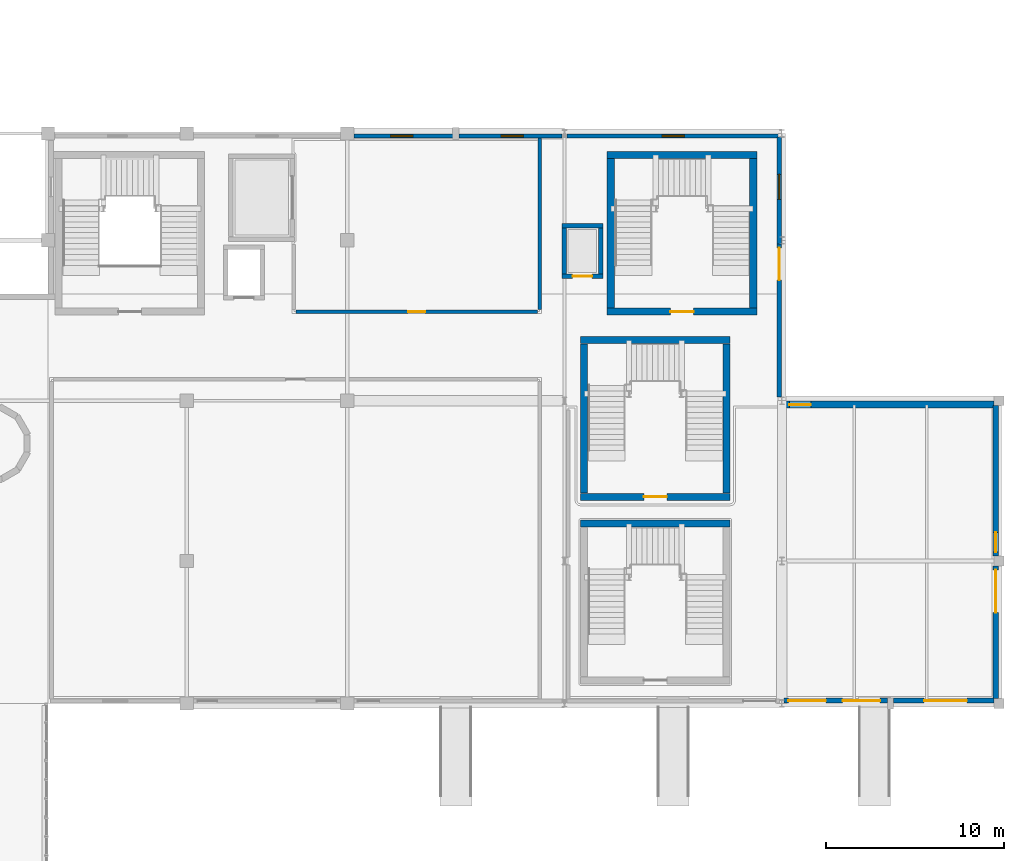
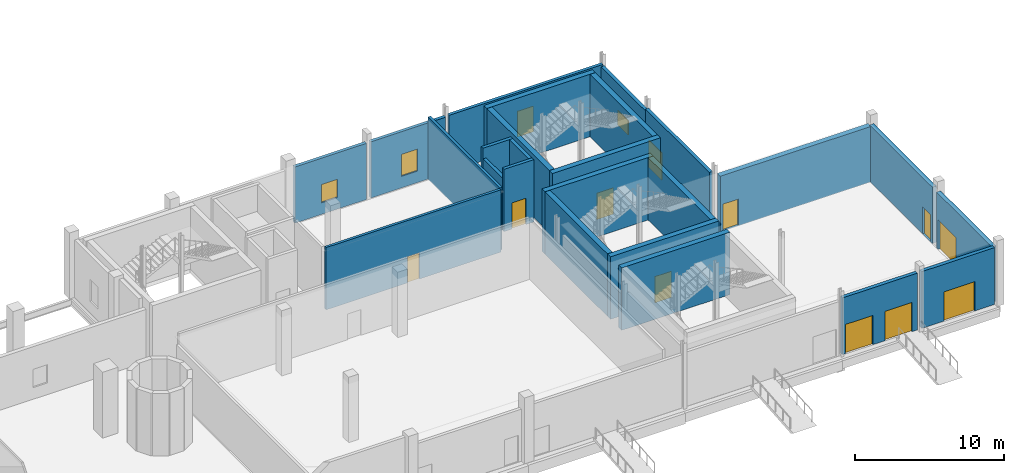
# One storey, part 47 of 57: 25 walls, 11 doors, 4 windows, 15 openings.
"""IFC4 building model written with IfcOpenShell, lengths in metres."""

import ifcopenshell
import ifcopenshell.guid

model = None  # the IFC model being written
_history = None  # IfcOwnerHistory: only IFC2X3 demands one
_inside = {}  # id of a spatial element -> (the spatial element, [elements in it])
_under = {}  # id of a project, library or spatial element -> (it, [spatial elements below it])
_declared = {}  # id of a project -> (the project, [libraries it declares])
_typed = {}  # id of a type object -> (the type object, [elements of that type])
_made_of = {}  # id of a material, layer set ... -> (it, [elements and type objects made of it])


def new_model(schema):
    """Start an empty IFC model of exactly this schema.

    Asked for "IFC4X3", IfcOpenShell would pick the latest addendum, in which some entities
    have other attributes; the version numbers below select the first issue.
    IFC2X3 requires an IfcOwnerHistory on every rooted entity: one is made here for all.
    """
    global model, _history
    if schema == "IFC4X3":
        model = ifcopenshell.file(schema_version=(4, 3, 0, 0))
    else:
        model = ifcopenshell.file(schema=schema)
    _inside.clear()
    _under.clear()
    _declared.clear()
    _typed.clear()
    _made_of.clear()
    _history = None
    if model.schema == "IFC2X3":
        org = make("IfcOrganization", Name="unknown")
        user = make(
            "IfcPersonAndOrganization",
            ThePerson=make("IfcPerson", FamilyName="unknown"),
            TheOrganization=org,
        )
        app = make(
            "IfcApplication",
            ApplicationDeveloper=org,
            Version="unknown",
            ApplicationFullName="unknown",
            ApplicationIdentifier="unknown",
        )
        _history = make(
            "IfcOwnerHistory",
            OwningUser=user,
            OwningApplication=app,
            ChangeAction="ADDED",
            CreationDate=0,
        )
    return model


def make(cls, **values):
    """One entity of the class cls with the attributes given. An attribute that is None is left unset."""
    return model.create_entity(
        cls, **{name: value for name, value in values.items() if value is not None}
    )


def rooted(cls, **values):
    """An entity with a GlobalId (a new one), such as an element, a storey or a relation."""
    return make(cls, GlobalId=ifcopenshell.guid.new(), OwnerHistory=_history, **values)


def si_unit(unit_type, name, prefix=None):
    """IfcSIUnit, for example si_unit("LENGTHUNIT", "METRE", prefix="MILLI")."""
    return make("IfcSIUnit", UnitType=unit_type, Prefix=prefix, Name=name)


def derived_unit(unit_type, elements):
    """IfcDerivedUnit: a product of units, each with its exponent."""
    return make(
        "IfcDerivedUnit",
        Elements=[
            make("IfcDerivedUnitElement", Unit=unit, Exponent=power)
            for unit, power in elements
        ],
        UnitType=unit_type,
    )


def assignment(units):
    """IfcUnitAssignment: the units of a project."""
    return None if units is None else make("IfcUnitAssignment", Units=units)


def point(xyz):
    """IfcCartesianPoint."""
    return None if xyz is None else make("IfcCartesianPoint", Coordinates=xyz)


def direction(xyz):
    """IfcDirection."""
    return None if xyz is None else make("IfcDirection", DirectionRatios=xyz)


def frame(location, z_axis=None, x_axis=None):
    """IfcAxis2Placement3D, a coordinate frame: its origin and axes. An axis left out is left unset."""
    return make(
        "IfcAxis2Placement3D",
        Location=point(location),
        Axis=direction(z_axis),
        RefDirection=direction(x_axis),
    )


def frame_2d(location, x_axis=None):
    """IfcAxis2Placement2D, a coordinate frame in the plane: its origin and x axis."""
    return make(
        "IfcAxis2Placement2D", Location=point(location), RefDirection=direction(x_axis)
    )


def origin():
    """The frame at (0, 0, 0) with its axes left unset."""
    return frame((0.0, 0.0, 0.0))


def place(relative_to, where):
    """IfcLocalPlacement: puts the frame where relative to a parent placement (None: the world)."""
    return make(
        "IfcLocalPlacement", PlacementRelTo=relative_to, RelativePlacement=where
    )


def context(
    kind, dimensions, precision=None, world=None, true_north=None, identifier=None
):
    """IfcGeometricRepresentationContext, for example the 3D "Model" context."""
    return make(
        "IfcGeometricRepresentationContext",
        ContextIdentifier=identifier,
        ContextType=kind,
        CoordinateSpaceDimension=dimensions,
        Precision=precision,
        WorldCoordinateSystem=world,
        TrueNorth=true_north,
    )


def subcontext(parent, identifier, kind, view, scale=None):
    """IfcGeometricRepresentationSubContext, for example "Body" below "Model"."""
    return make(
        "IfcGeometricRepresentationSubContext",
        ContextIdentifier=identifier,
        ContextType=kind,
        ParentContext=parent,
        TargetScale=scale,
        TargetView=view,
    )


def project(units=None, contexts=None):
    """IfcProject with its units and contexts."""
    return rooted(
        "IfcProject",
        Name="project",
        RepresentationContexts=contexts,
        UnitsInContext=assignment(units),
    )


def spatial(cls, under=None, at=None, **own):
    """A site, building, storey or space (cls), placed at a placement, below another one or the project."""
    s = rooted(cls, ObjectPlacement=at, **own)
    if under is not None:
        _under.setdefault(under.id(), (under, []))[1].append(s)
    return s


def profile(cls, at=None, kind="AREA", **sizes):
    """A parametric profile (cls). Its sizes go by their IFC names, for example OverallWidth=200.0."""
    return make(cls, ProfileType=kind, Position=at, **sizes)


def rectangle(**sizes):
    """IfcRectangleProfileDef."""
    return profile("IfcRectangleProfileDef", **sizes)


def extrude(swept, where, along, depth):
    """IfcExtrudedAreaSolid: the profile swept, set in the frame where, extruded along a direction by depth."""
    return make(
        "IfcExtrudedAreaSolid",
        SweptArea=swept,
        Position=where,
        ExtrudedDirection=direction(along),
        Depth=depth,
    )


def shape(context_of_items, identifier, shape_type, items):
    """IfcShapeRepresentation: the items that make up one representation, for example the "Body"."""
    return make(
        "IfcShapeRepresentation",
        ContextOfItems=context_of_items,
        RepresentationIdentifier=identifier,
        RepresentationType=shape_type,
        Items=items,
    )


def material(Name=None, Category=None):
    """IfcMaterial."""
    return make("IfcMaterial", Name=Name, Category=Category)


def layer(
    of_material, thickness, ventilated=None, Name=None, Category=None, Priority=None
):
    """IfcMaterialLayer: one layer of a wall or slab, of a material (None: an air gap)."""
    return make(
        "IfcMaterialLayer",
        Material=of_material,
        LayerThickness=thickness,
        IsVentilated=ventilated,
        Name=Name,
        Category=Category,
        Priority=Priority,
    )


def layer_set(layers, Name=None):
    """IfcMaterialLayerSet."""
    return make("IfcMaterialLayerSet", MaterialLayers=layers, LayerSetName=Name)


def made_of(thing, what):
    """Note that an element or type object is made of a material, layer set ...; save() writes the relation."""
    if what is not None:
        _made_of.setdefault(what.id(), (what, []))[1].append(thing)
    return thing


def type_object(cls, material=None, **own):
    """A type object (cls), such as IfcWallType, which elements share."""
    return made_of(rooted(cls, **own), material)


def element(
    cls,
    number,
    at=None,
    inside=None,
    cuts=None,
    type_object=None,
    material=None,
    context=None,
    identifier="Body",
    shape_type=None,
    held_by="IfcProductDefinitionShape",
    body=None,
    shapes=None,
    **own,
):
    """One element of the class cls, such as IfcWall. Its Tag is "e" and its number.

    at: its placement. inside: the storey or other place that contains it. cuts: it is an
    opening in that element (IfcRelVoidsElement). A single representation is given by context,
    identifier, shape_type and body (its items); several are given by shapes. held_by: the class
    of the entity that holds the representations. save() writes the other relations.
    """
    e = rooted(cls, Tag="e%d" % number, ObjectPlacement=at, **own)
    if body is not None:
        shapes = [shape(context, identifier, shape_type, body)]
    if shapes is not None:
        e.Representation = make(held_by, Representations=shapes)
    if inside is not None:
        _inside.setdefault(inside.id(), (inside, []))[1].append(e)
    if cuts is not None:
        rooted(
            "IfcRelVoidsElement", RelatingBuildingElement=cuts, RelatedOpeningElement=e
        )
    if type_object is not None:
        _typed.setdefault(type_object.id(), (type_object, []))[1].append(e)
    return made_of(e, material)


def fill(opening, filler):
    """IfcRelFillsElement: the door or window that sits in an opening."""
    return rooted(
        "IfcRelFillsElement",
        RelatingOpeningElement=opening,
        RelatedBuildingElement=filler,
    )


def aggregate(whole, parts):
    """IfcRelAggregates: a whole, such as a stair, and the parts it consists of."""
    return rooted("IfcRelAggregates", RelatingObject=whole, RelatedObjects=parts)


def save(model, path):
    """Write the relations noted so far, then the file.

    IfcRelAggregates (storeys below a building ...), IfcRelContainedInSpatialStructure (elements
    in a storey), IfcRelDefinesByType, IfcRelAssociatesMaterial and IfcRelDeclares: one each for
    every whole, place, type object, material and project.
    """
    for whole, parts in _under.values():
        aggregate(whole, parts)
    for where, things in _inside.values():
        rooted(
            "IfcRelContainedInSpatialStructure",
            RelatedElements=things,
            RelatingStructure=where,
        )
    for kind, things in _typed.values():
        rooted("IfcRelDefinesByType", RelatedObjects=things, RelatingType=kind)
    for what, things in _made_of.values():
        rooted("IfcRelAssociatesMaterial", RelatedObjects=things, RelatingMaterial=what)
    for by, libraries in _declared.values():
        rooted("IfcRelDeclares", RelatingContext=by, RelatedDefinitions=libraries)
    model.write(path)


model = new_model("IFC4")

# Units and contexts
model_context = context("Model", 3, precision=1e-05, world=origin(), true_north=direction((0.0, 1.0)))
body_context = subcontext(model_context, "Body", "Model", "MODEL_VIEW")
ifc_project = project(units=[si_unit("LENGTHUNIT", "METRE"), si_unit("AREAUNIT", "SQUARE_METRE"), si_unit("VOLUMEUNIT", "CUBIC_METRE"), si_unit("PLANEANGLEUNIT", "RADIAN"), si_unit("MASSUNIT", "GRAM", prefix="KILO"), derived_unit("THERMALTRANSMITTANCEUNIT", [(si_unit("POWERUNIT", "WATT"), 1), (si_unit("LENGTHUNIT", "METRE"), -2), (si_unit("THERMODYNAMICTEMPERATUREUNIT", "KELVIN"), -1)])], contexts=[model_context])

# Site, building, storey
site_placement = place(None, origin())
site = spatial("IfcSite", under=ifc_project, at=site_placement, CompositionType="ELEMENT")
building_placement = place(site_placement, origin())
building = spatial("IfcBuilding", under=site, at=building_placement, Name="Nallur Shell Playhouse", CompositionType="ELEMENT")
storey_placement = place(building_placement, origin())
storey = spatial("IfcBuildingStorey", under=building, at=storey_placement, Name="L01", CompositionType="ELEMENT", Elevation=0.0)

# Wall, opening, door
ifc_material_1 = material(Name="Concrete M45", Category="concrete")
ifc_layer_1 = layer(ifc_material_1, 0.39990234375)
ifc_layer_set_1 = layer_set([ifc_layer_1], Name="Concrete M45")
wall_type_1 = type_object("IfcWallType", Name="WL-CORE-400", PredefinedType="SHEAR", material=ifc_layer_set_1)
wall_1_placement = place(storey_placement, frame((150.0, 46.0, 0.0), z_axis=(0.0, 0.0, 1.0), x_axis=(1.0, 0.0, 0.0)))
wall_1 = element("IfcWall", 1, at=wall_1_placement, inside=storey, type_object=wall_type_1, Name="Joint Core JC-5 shear wall S (L01)", PredefinedType="SHEAR", context=body_context, shape_type="SweptSolid", body=[
    extrude(rectangle(XDim=8.39990234375, YDim=0.39990234375, at=frame_2d((4.199951171875, 0.0))), origin(), (0.0, 0.0, 1.0), 5.1201171875),
])
opening_1_placement = place(wall_1_placement, frame((3.550048828125, 0.0, 0.0)))
opening_1 = element("IfcOpeningElement", 2, at=opening_1_placement, cuts=wall_1, Name="Opening FD-ST1", PredefinedType="OPENING", context=body_context, shape_type="SweptSolid", body=[
    extrude(rectangle(XDim=1.300048828125, YDim=2.14990234375, at=frame_2d((0.64990234375, 1.074951171875))), frame((0.0, 0.2099609375, 0.0), z_axis=(0.0, -1.0, 0.0), x_axis=(1.0, 0.0, 0.0)), (0.0, 0.0, 1.0), 0.419921875),
])
ifc_material_2 = material(Name="Galvanised Steel Fire-Rated Stair Door", Category="steel")
door_type_1 = type_object("IfcDoorType", Name="DR-INT-STAIR-L", OperationType="SINGLE_SWING_LEFT", PredefinedType="DOOR", material=ifc_material_2)
door_1_placement = place(opening_1_placement, origin())
door_1 = element("IfcDoor", 3, at=door_1_placement, inside=storey, type_object=door_type_1, Name="Exit stair ST-05 fire door (L01)", OperationType="SINGLE_SWING_LEFT", OverallHeight=2.14990234375, OverallWidth=1.300048828125, PredefinedType="DOOR", context=body_context, shape_type="SweptSolid", body=[
    extrude(rectangle(XDim=1.300048828125, YDim=2.14990234375, at=frame_2d((0.64990234375, 1.074951171875))), frame((0.0, 0.02490234375, 0.0), z_axis=(0.0, -1.0, 0.0), x_axis=(1.0, 0.0, 0.0)), (0.0, 0.0, 1.0), 0.050048828125),
])
fill(opening_1, door_1)

# Walls
wall_2_placement = place(storey_placement, frame((158.39990234375, 54.800048828125, 0.0), z_axis=(0.0, 0.0, 1.0), x_axis=(-1.0, 0.0, 0.0)))
element("IfcWall", 4, at=wall_2_placement, inside=storey, type_object=wall_type_1, Name="Joint Core JC-5 shear wall N (L01)", PredefinedType="SHEAR", context=body_context, shape_type="SweptSolid", body=[
    extrude(rectangle(XDim=8.39990234375, YDim=0.39990234375, at=frame_2d((4.199951171875, 0.0))), origin(), (0.0, 0.0, 1.0), 5.1201171875),
])
for number, where, z_axis, x_axis, name in (
    (5, (158.199951171875, 46.2099609375, 0.0), (0.0, 0.0, 1.0), (0.0, 1.0, 0.0), "Joint Core JC-5 shear wall E (L01)"),
    (6, (150.199951171875, 54.590087890625, 0.0), (0.0, 0.0, 1.0), (0.0, -1.0, 0.0), "Joint Core JC-5 shear wall W (L01)"),
):
    element("IfcWall", number, at=place(storey_placement, frame(where, z_axis=z_axis, x_axis=x_axis)), inside=storey, type_object=wall_type_1, Name=name, PredefinedType="SHEAR", context=body_context, shape_type="SweptSolid", body=[
        extrude(rectangle(XDim=8.380126953125, YDim=0.39990234375, at=frame_2d((4.18994140625, 0.0))), origin(), (0.0, 0.0, 1.0), 5.1201171875),
    ])
wall_3_placement = place(storey_placement, frame((156.89990234375, 34.10009765625, 0.0), z_axis=(0.0, 0.0, 1.0), x_axis=(-1.0, 0.0, 0.0)))
element("IfcWall", 7, at=wall_3_placement, inside=storey, type_object=wall_type_1, Name="Joint Core JC-8 shear wall N (L01)", PredefinedType="SHEAR", context=body_context, shape_type="SweptSolid", body=[
    extrude(rectangle(XDim=8.39990234375, YDim=0.39990234375, at=frame_2d((4.199951171875, 0.0))), origin(), (0.0, 0.0, 1.0), 5.1201171875),
])

# Wall, opening, door
wall_4_placement = place(storey_placement, frame((148.5, 35.60009765625, 0.0), z_axis=(0.0, 0.0, 1.0), x_axis=(1.0, 0.0, 0.0)))
wall_4 = element("IfcWall", 8, at=wall_4_placement, inside=storey, type_object=wall_type_1, Name="Joint Core JC-9 shear wall S (L01)", PredefinedType="SHEAR", context=body_context, shape_type="SweptSolid", body=[
    extrude(rectangle(XDim=8.39990234375, YDim=0.39990234375, at=frame_2d((4.199951171875, 0.0))), origin(), (0.0, 0.0, 1.0), 5.1201171875),
])
opening_2_placement = place(wall_4_placement, frame((3.550048828125, 0.0, 0.0)))
opening_2 = element("IfcOpeningElement", 9, at=opening_2_placement, cuts=wall_4, Name="Opening FD-ST1", PredefinedType="OPENING", context=body_context, shape_type="SweptSolid", body=[
    extrude(rectangle(XDim=1.300048828125, YDim=2.14990234375, at=frame_2d((0.64990234375, 1.074951171875))), frame((0.0, 0.2099609375, 0.0), z_axis=(0.0, -1.0, 0.0), x_axis=(1.0, 0.0, 0.0)), (0.0, 0.0, 1.0), 0.419921875),
])
door_2_placement = place(opening_2_placement, origin())
door_2 = element("IfcDoor", 10, at=door_2_placement, inside=storey, type_object=door_type_1, Name="Exit stair ST-09 fire door (L01)", OperationType="SINGLE_SWING_LEFT", OverallHeight=2.14990234375, OverallWidth=1.300048828125, PredefinedType="DOOR", context=body_context, shape_type="SweptSolid", body=[
    extrude(rectangle(XDim=1.300048828125, YDim=2.14990234375, at=frame_2d((0.64990234375, 1.074951171875))), frame((0.0, 0.02490234375, 0.0), z_axis=(0.0, -1.0, 0.0), x_axis=(1.0, 0.0, 0.0)), (0.0, 0.0, 1.0), 0.050048828125),
])
fill(opening_2, door_2)

# Walls
wall_5_placement = place(storey_placement, frame((156.89990234375, 44.39990234375, 0.0), z_axis=(0.0, 0.0, 1.0), x_axis=(-1.0, 0.0, 0.0)))
element("IfcWall", 11, at=wall_5_placement, inside=storey, type_object=wall_type_1, Name="Joint Core JC-9 shear wall N (L01)", PredefinedType="SHEAR", context=body_context, shape_type="SweptSolid", body=[
    extrude(rectangle(XDim=8.39990234375, YDim=0.39990234375, at=frame_2d((4.199951171875, 0.0))), origin(), (0.0, 0.0, 1.0), 5.1201171875),
])
for number, where, z_axis, x_axis, name in (
    (12, (156.699951171875, 35.81005859375, 0.0), (0.0, 0.0, 1.0), (0.0, 1.0, 0.0), "Joint Core JC-9 shear wall E (L01)"),
    (13, (148.699951171875, 44.18994140625, 0.0), (0.0, 0.0, 1.0), (0.0, -1.0, 0.0), "Joint Core JC-9 shear wall W (L01)"),
):
    element("IfcWall", number, at=place(storey_placement, frame(where, z_axis=z_axis, x_axis=x_axis)), inside=storey, type_object=wall_type_1, Name=name, PredefinedType="SHEAR", context=body_context, shape_type="SweptSolid", body=[
        extrude(rectangle(XDim=8.3798828125, YDim=0.39990234375, at=frame_2d((4.18994140625, 0.0))), origin(), (0.0, 0.0, 1.0), 5.1201171875),
    ])

# Wall, opening, window
ifc_material_3 = material(Name="Precast concrete M40", Category="concrete")
ifc_layer_2 = layer(ifc_material_3, 0.239990234375)
ifc_layer_set_2 = layer_set([ifc_layer_2], Name="Precast concrete M40")
wall_type_2 = type_object("IfcWallType", Name="WL-EXT-CLAD240", PredefinedType="ELEMENTEDWALL", material=ifc_layer_set_2)
wall_6_placement = place(storey_placement, frame((135.782958984375, 55.860107421875, 0.0), z_axis=(0.0, 0.0, 1.0), x_axis=(1.0, 0.0, 0.0)))
wall_6 = element("IfcWall", 14, at=wall_6_placement, inside=storey, type_object=wall_type_2, Name="L01 exterior wall EW-L01-031", PredefinedType="ELEMENTEDWALL", context=body_context, shape_type="SweptSolid", body=[
    extrude(rectangle(XDim=5.544921875, YDim=0.239990234375, at=frame_2d((2.7724609375, 0.0))), origin(), (0.0, 0.0, 1.0), 4.60498046875),
])
opening_3_placement = place(wall_6_placement, frame((2.054931640625, 0.0, 0.949951171875)))
opening_3 = element("IfcOpeningElement", 15, at=opening_3_placement, cuts=wall_6, Name="Opening WN-10", PredefinedType="OPENING", context=body_context, shape_type="SweptSolid", body=[
    extrude(rectangle(XDim=1.25, YDim=1.5, at=frame_2d((0.625, 0.75))), frame((0.0, 0.1298828125, 0.0), z_axis=(0.0, -1.0, 0.0), x_axis=(1.0, 0.0, 0.0)), (0.0, 0.0, 1.0), 0.260009765625),
])
ifc_material_4 = material(Name="Thermally Broken Aluminium Acoustic Double-Glazed Window", Category="aluminium")
window_type_1 = type_object("IfcWindowType", Name="WN-TYPE-10", PartitioningType="SINGLE_PANEL", PredefinedType="WINDOW", material=ifc_material_4)
window_1_placement = place(opening_3_placement, origin())
window_1 = element("IfcWindow", 16, at=window_1_placement, inside=storey, type_object=window_type_1, Name="L01 facade module window 010", OverallHeight=1.5, OverallWidth=1.25, PartitioningType="SINGLE_PANEL", PredefinedType="WINDOW", context=body_context, shape_type="SweptSolid", body=[
    extrude(rectangle(XDim=1.25, YDim=1.5, at=frame_2d((0.625, 0.75))), frame((0.0, 0.030029296875, 0.0), z_axis=(0.0, -1.0, 0.0), x_axis=(1.0, 0.0, 0.0)), (0.0, 0.0, 1.0), 0.06005859375),
])
fill(opening_3, window_1)

wall_7_placement = place(storey_placement, frame((141.672119140625, 55.860107421875, 0.0), z_axis=(0.0, 0.0, 1.0), x_axis=(1.0, 0.0, 0.0)))
wall_7 = element("IfcWall", 17, at=wall_7_placement, inside=storey, type_object=wall_type_2, Name="L01 exterior wall EW-L01-032", PredefinedType="ELEMENTEDWALL", context=body_context, shape_type="SweptSolid", body=[
    extrude(rectangle(XDim=5.794921875, YDim=0.239990234375, at=frame_2d((2.8974609375, 0.0))), origin(), (0.0, 0.0, 1.0), 4.60498046875),
])
opening_4_placement = place(wall_7_placement, frame((2.365966796875, 0.0, 0.949951171875)))
opening_4 = element("IfcOpeningElement", 18, at=opening_4_placement, cuts=wall_7, Name="Opening WN-11", PredefinedType="OPENING", context=body_context, shape_type="SweptSolid", body=[
    extrude(rectangle(XDim=1.25, YDim=1.800048828125, at=frame_2d((0.625, 0.89990234375))), frame((0.0, 0.1298828125, 0.0), z_axis=(0.0, -1.0, 0.0), x_axis=(1.0, 0.0, 0.0)), (0.0, 0.0, 1.0), 0.260009765625),
])
window_type_2 = type_object("IfcWindowType", Name="WN-TYPE-11", PartitioningType="SINGLE_PANEL", PredefinedType="WINDOW", material=ifc_material_4)
window_2_placement = place(opening_4_placement, origin())
window_2 = element("IfcWindow", 19, at=window_2_placement, inside=storey, type_object=window_type_2, Name="L01 facade module window 011", OverallHeight=1.800048828125, OverallWidth=1.25, PartitioningType="SINGLE_PANEL", PredefinedType="WINDOW", context=body_context, shape_type="SweptSolid", body=[
    extrude(rectangle(XDim=1.25, YDim=1.800048828125, at=frame_2d((0.625, 0.89990234375))), frame((0.0, 0.030029296875, 0.0), z_axis=(0.0, -1.0, 0.0), x_axis=(1.0, 0.0, 0.0)), (0.0, 0.0, 1.0), 0.06005859375),
])
fill(opening_4, window_2)

wall_8_placement = place(storey_placement, frame((147.73291015625, 55.860107421875, 0.0), z_axis=(0.0, 0.0, 1.0), x_axis=(1.0, 0.0, 0.0)))
wall_8 = element("IfcWall", 20, at=wall_8_placement, inside=storey, type_object=wall_type_2, Name="L01 exterior wall EW-L01-033", PredefinedType="ELEMENTEDWALL", context=body_context, shape_type="SweptSolid", body=[
    extrude(rectangle(XDim=11.93408203125, YDim=0.239990234375, at=frame_2d((5.967041015625, 0.0))), origin(), (0.0, 0.0, 1.0), 4.655029296875),
])
opening_5_placement = place(wall_8_placement, frame((5.342041015625, 0.0, 0.949951171875)))
opening_5 = element("IfcOpeningElement", 21, at=opening_5_placement, cuts=wall_8, Name="Opening WN-12", PredefinedType="OPENING", context=body_context, shape_type="SweptSolid", body=[
    extrude(rectangle(XDim=1.25, YDim=2.10009765625, at=frame_2d((0.625, 1.050048828125))), frame((0.0, 0.1298828125, 0.0), z_axis=(0.0, -1.0, 0.0), x_axis=(1.0, 0.0, 0.0)), (0.0, 0.0, 1.0), 0.260009765625),
])
window_type_3 = type_object("IfcWindowType", Name="WN-TYPE-12", PartitioningType="SINGLE_PANEL", PredefinedType="WINDOW", material=ifc_material_4)
window_3_placement = place(opening_5_placement, origin())
window_3 = element("IfcWindow", 22, at=window_3_placement, inside=storey, type_object=window_type_3, Name="L01 facade module window 012", OverallHeight=2.10009765625, OverallWidth=1.25, PartitioningType="SINGLE_PANEL", PredefinedType="WINDOW", context=body_context, shape_type="SweptSolid", body=[
    extrude(rectangle(XDim=1.25, YDim=2.10009765625, at=frame_2d((0.625, 1.050048828125))), frame((0.0, 0.030029296875, 0.0), z_axis=(0.0, -1.0, 0.0), x_axis=(1.0, 0.0, 0.0)), (0.0, 0.0, 1.0), 0.06005859375),
])
fill(opening_5, window_3)

ifc_layer_3 = layer(ifc_material_3, 0.260009765625)
ifc_layer_set_3 = layer_set([ifc_layer_3], Name="Precast concrete M40")
wall_type_3 = type_object("IfcWallType", Name="WL-EXT-CLAD260", PredefinedType="ELEMENTEDWALL", material=ifc_layer_set_3)
wall_9_placement = place(storey_placement, frame((159.64990234375, 55.7919921875, 0.0), z_axis=(0.0, 0.0, 1.0), x_axis=(0.0, -1.0, 0.0)))
wall_9 = element("IfcWall", 23, at=wall_9_placement, inside=storey, type_object=wall_type_3, Name="L01 exterior wall EW-L01-034", PredefinedType="ELEMENTEDWALL", context=body_context, shape_type="SweptSolid", body=[
    extrude(rectangle(XDim=6.0, YDim=0.260009765625, at=frame_2d((3.0, 0.0))), origin(), (0.0, 0.0, 1.0), 4.5048828125),
])
opening_6_placement = place(wall_9_placement, frame((2.092041015625, 0.0, 0.949951171875)))
opening_6 = element("IfcOpeningElement", 24, at=opening_6_placement, cuts=wall_9, Name="Opening WN-13", PredefinedType="OPENING", context=body_context, shape_type="SweptSolid", body=[
    extrude(rectangle(XDim=1.39990234375, YDim=1.199951171875, at=frame_2d((0.699951171875, 0.60009765625))), frame((0.0, 0.14013671875, 0.0), z_axis=(0.0, -1.0, 0.0), x_axis=(1.0, 0.0, 0.0)), (0.0, 0.0, 1.0), 0.280029296875),
])
window_type_4 = type_object("IfcWindowType", Name="WN-TYPE-13", PartitioningType="SINGLE_PANEL", PredefinedType="WINDOW", material=ifc_material_4)
window_4_placement = place(opening_6_placement, origin())
window_4 = element("IfcWindow", 25, at=window_4_placement, inside=storey, type_object=window_type_4, Name="L01 facade module window 013", OverallHeight=1.199951171875, OverallWidth=1.39990234375, PartitioningType="SINGLE_PANEL", PredefinedType="WINDOW", context=body_context, shape_type="SweptSolid", body=[
    extrude(rectangle(XDim=1.39990234375, YDim=1.199951171875, at=frame_2d((0.699951171875, 0.60009765625))), frame((0.0, 0.030029296875, 0.0), z_axis=(0.0, -1.0, 0.0), x_axis=(1.0, 0.0, 0.0)), (0.0, 0.0, 1.0), 0.06005859375),
])
fill(opening_6, window_4)

# Wall, opening, door
wall_10_placement = place(storey_placement, frame((159.64990234375, 49.7919921875, 0.0), z_axis=(0.0, 0.0, 1.0), x_axis=(0.0, -1.0, 0.0)))
wall_10 = element("IfcWall", 26, at=wall_10_placement, inside=storey, type_object=wall_type_3, Name="L01 exterior wall EW-L01-035", PredefinedType="ELEMENTEDWALL", context=body_context, shape_type="SweptSolid", body=[
    extrude(rectangle(XDim=8.583984375, YDim=0.260009765625, at=frame_2d((4.2919921875, 0.0))), origin(), (0.0, 0.0, 1.0), 4.655029296875),
])
opening_7_placement = place(wall_10_placement, frame((0.219970703125, 0.0, 0.0)))
opening_7 = element("IfcOpeningElement", 27, at=opening_7_placement, cuts=wall_10, Name="Opening ED-03", PredefinedType="OPENING", context=body_context, shape_type="SweptSolid", body=[
    extrude(rectangle(XDim=1.800048828125, YDim=2.25, at=frame_2d((0.89990234375, 1.125))), frame((0.0, 0.14013671875, 0.0), z_axis=(0.0, -1.0, 0.0), x_axis=(1.0, 0.0, 0.0)), (0.0, 0.0, 1.0), 0.280029296875),
])
ifc_material_5 = material(Name="Galvanised Steel Emergency Exit Double Door", Category="steel")
door_type_2 = type_object("IfcDoorType", Name="DR-EXT-DBL1800", OperationType="DOUBLE_DOOR_SINGLE_SWING", PredefinedType="DOOR", material=ifc_material_5)
door_3_placement = place(opening_7_placement, origin())
door_3 = element("IfcDoor", 28, at=door_3_placement, inside=storey, type_object=door_type_2, Name="Ground floor exterior exit door ED-L01-12", OperationType="DOUBLE_DOOR_SINGLE_SWING", OverallHeight=2.25, OverallWidth=1.800048828125, PredefinedType="DOOR", context=body_context, shape_type="SweptSolid", body=[
    extrude(rectangle(XDim=1.800048828125, YDim=2.25, at=frame_2d((0.89990234375, 1.125))), frame((0.0, 0.02490234375, 0.0), z_axis=(0.0, -1.0, 0.0), x_axis=(1.0, 0.0, 0.0)), (0.0, 0.0, 1.0), 0.050048828125),
])
fill(opening_7, door_3)

ifc_material_6 = material(Name="Concrete M30", Category="concrete")
ifc_layer_4 = layer(ifc_material_6, 0.280029296875)
ifc_layer_set_4 = layer_set([ifc_layer_4], Name="Concrete M30")
wall_type_4 = type_object("IfcWallType", Name="WL-EXT-INS280", PredefinedType="STANDARD", material=ifc_layer_set_4)
wall_11_placement = place(storey_placement, frame((171.717041015625, 24.159912109375, 0.0), z_axis=(0.0, 0.0, 1.0), x_axis=(-1.0, 0.0, 0.0)))
wall_11 = element("IfcWall", 29, at=wall_11_placement, inside=storey, type_object=wall_type_4, Name="L01 exterior wall EW-L01-039", PredefinedType="STANDARD", context=body_context, shape_type="SweptSolid", body=[
    extrude(rectangle(XDim=5.64501953125, YDim=0.280029296875, at=frame_2d((2.822509765625, 0.0))), origin(), (0.0, 0.0, 1.0), 4.655029296875),
])
opening_8_placement = place(wall_11_placement, frame((1.530029296875, 0.0, 0.0)))
opening_8 = element("IfcOpeningElement", 30, at=opening_8_placement, cuts=wall_11, Name="Opening ED-01", PredefinedType="OPENING", context=body_context, shape_type="SweptSolid", body=[
    extrude(rectangle(XDim=2.39990234375, YDim=2.39990234375, at=frame_2d((1.199951171875, 1.199951171875))), frame((0.0, 0.14990234375, 0.0), z_axis=(0.0, -1.0, 0.0), x_axis=(1.0, 0.0, 0.0)), (0.0, 0.0, 1.0), 0.300048828125),
])
ifc_material_7 = material(Name="Anodised Aluminium Glazed Entrance Door", Category="aluminium")
door_type_3 = type_object("IfcDoorType", Name="DR-EXT-DBL2400", OperationType="DOUBLE_SWING_LEFT", PredefinedType="DOOR", material=ifc_material_7)
door_4_placement = place(opening_8_placement, origin())
door_4 = element("IfcDoor", 31, at=door_4_placement, inside=storey, type_object=door_type_3, Name="Ground floor exterior exit door ED-L01-16", OperationType="DOUBLE_SWING_LEFT", OverallHeight=2.39990234375, OverallWidth=2.39990234375, PredefinedType="DOOR", context=body_context, shape_type="SweptSolid", body=[
    extrude(rectangle(XDim=2.39990234375, YDim=2.39990234375, at=frame_2d((1.199951171875, 1.199951171875))), frame((0.0, 0.02490234375, 0.0), z_axis=(0.0, -1.0, 0.0), x_axis=(1.0, 0.0, 0.0)), (0.0, 0.0, 1.0), 0.050048828125),
])
fill(opening_8, door_4)

# Wall, openings, doors
wall_12_placement = place(storey_placement, frame((165.72802734375, 24.159912109375, 0.0), z_axis=(0.0, 0.0, 1.0), x_axis=(-1.0, 0.0, 0.0)))
wall_12 = element("IfcWall", 32, at=wall_12_placement, inside=storey, type_object=wall_type_4, Name="L01 exterior wall EW-L01-040", PredefinedType="STANDARD", context=body_context, shape_type="SweptSolid", body=[
    extrude(rectangle(XDim=5.803955078125, YDim=0.280029296875, at=frame_2d((2.90185546875, 0.0))), origin(), (0.0, 0.0, 1.0), 4.655029296875),
])
opening_9_placement = place(wall_12_placement, frame((0.406005859375, 0.0, 0.0)))
opening_9 = element("IfcOpeningElement", 33, at=opening_9_placement, cuts=wall_12, Name="Opening ED-02", PredefinedType="OPENING", context=body_context, shape_type="SweptSolid", body=[
    extrude(rectangle(XDim=2.10009765625, YDim=2.39990234375, at=frame_2d((1.050048828125, 1.199951171875))), frame((0.0, 0.14990234375, 0.0), z_axis=(0.0, -1.0, 0.0), x_axis=(1.0, 0.0, 0.0)), (0.0, 0.0, 1.0), 0.300048828125),
])
opening_10_placement = place(wall_12_placement, frame((3.4580078125, 0.0, 0.0)))
opening_10 = element("IfcOpeningElement", 34, at=opening_10_placement, cuts=wall_12, Name="Opening ED-02", PredefinedType="OPENING", context=body_context, shape_type="SweptSolid", body=[
    extrude(rectangle(XDim=2.10009765625, YDim=2.39990234375, at=frame_2d((1.050048828125, 1.199951171875))), frame((0.0, 0.14990234375, 0.0), z_axis=(0.0, -1.0, 0.0), x_axis=(1.0, 0.0, 0.0)), (0.0, 0.0, 1.0), 0.300048828125),
])
door_type_4 = type_object("IfcDoorType", Name="DR-EXT-DBL2100", OperationType="DOUBLE_SWING_RIGHT", PredefinedType="DOOR", material=ifc_material_7)
door_5_placement = place(opening_9_placement, origin())
door_5 = element("IfcDoor", 35, at=door_5_placement, inside=storey, type_object=door_type_4, Name="Ground floor exterior exit door ED-L01-17", OperationType="DOUBLE_SWING_RIGHT", OverallHeight=2.39990234375, OverallWidth=2.10009765625, PredefinedType="DOOR", context=body_context, shape_type="SweptSolid", body=[
    extrude(rectangle(XDim=2.10009765625, YDim=2.39990234375, at=frame_2d((1.050048828125, 1.199951171875))), frame((0.0, 0.02490234375, 0.0), z_axis=(0.0, -1.0, 0.0), x_axis=(1.0, 0.0, 0.0)), (0.0, 0.0, 1.0), 0.050048828125),
])
fill(opening_9, door_5)
door_6_placement = place(opening_10_placement, origin())
door_6 = element("IfcDoor", 36, at=door_6_placement, inside=storey, type_object=door_type_4, Name="Ground floor exterior exit door ED-L01-18", OperationType="DOUBLE_SWING_RIGHT", OverallHeight=2.39990234375, OverallWidth=2.10009765625, PredefinedType="DOOR", context=body_context, shape_type="SweptSolid", body=[
    extrude(rectangle(XDim=2.10009765625, YDim=2.39990234375, at=frame_2d((1.050048828125, 1.199951171875))), frame((0.0, 0.02490234375, 0.0), z_axis=(0.0, -1.0, 0.0), x_axis=(1.0, 0.0, 0.0)), (0.0, 0.0, 1.0), 0.050048828125),
])
fill(opening_10, door_6)

# Wall, opening, door
ifc_material_8 = material(Name="Concrete M35", Category="concrete")
ifc_layer_5 = layer(ifc_material_8, 0.320068359375)
ifc_layer_set_5 = layer_set([ifc_layer_5], Name="Concrete M35")
wall_type_5 = type_object("IfcWallType", Name="WL-EXT-RC320", PredefinedType="STANDARD", material=ifc_layer_set_5)
wall_13_placement = place(storey_placement, frame((171.820068359375, 40.717041015625, 0.0), z_axis=(0.0, 0.0, 1.0), x_axis=(0.0, -1.0, 0.0)))
wall_13 = element("IfcWall", 37, at=wall_13_placement, inside=storey, type_object=wall_type_5, Name="L01 exterior wall EW-L01-037", PredefinedType="STANDARD", context=body_context, shape_type="SweptSolid", body=[
    extrude(rectangle(XDim=8.43408203125, YDim=0.320068359375, at=frame_2d((4.217041015625, 0.0))), origin(), (0.0, 0.0, 1.0), 4.60498046875),
])
opening_11_placement = place(wall_13_placement, frame((7.114013671875, 0.0, 0.0)))
opening_11 = element("IfcOpeningElement", 38, at=opening_11_placement, cuts=wall_13, Name="Opening ED-05", PredefinedType="OPENING", context=body_context, shape_type="SweptSolid", body=[
    extrude(rectangle(XDim=1.10009765625, YDim=2.199951171875, at=frame_2d((0.550048828125, 1.10009765625))), frame((0.0, 0.169921875, 0.0), z_axis=(0.0, -1.0, 0.0), x_axis=(1.0, 0.0, 0.0)), (0.0, 0.0, 1.0), 0.340087890625),
])
ifc_material_9 = material(Name="Galvanised Steel Exterior Service Door", Category="steel")
door_type_5 = type_object("IfcDoorType", Name="DR-EXT-SGL1100", OperationType="SINGLE_SWING_RIGHT", PredefinedType="DOOR", material=ifc_material_9)
door_7_placement = place(opening_11_placement, origin())
door_7 = element("IfcDoor", 39, at=door_7_placement, inside=storey, type_object=door_type_5, Name="Ground floor exterior exit door ED-L01-14", OperationType="SINGLE_SWING_RIGHT", OverallHeight=2.199951171875, OverallWidth=1.10009765625, PredefinedType="DOOR", context=body_context, shape_type="SweptSolid", body=[
    extrude(rectangle(XDim=1.10009765625, YDim=2.199951171875, at=frame_2d((0.550048828125, 1.10009765625))), frame((0.0, 0.02490234375, 0.0), z_axis=(0.0, -1.0, 0.0), x_axis=(1.0, 0.0, 0.0)), (0.0, 0.0, 1.0), 0.050048828125),
])
fill(opening_11, door_7)

wall_14_placement = place(storey_placement, frame((171.820068359375, 31.717041015625, 0.0), z_axis=(0.0, 0.0, 1.0), x_axis=(0.0, -1.0, 0.0)))
wall_14 = element("IfcWall", 40, at=wall_14_placement, inside=storey, type_object=wall_type_5, Name="L01 exterior wall EW-L01-038", PredefinedType="STANDARD", context=body_context, shape_type="SweptSolid", body=[
    extrude(rectangle(XDim=7.43408203125, YDim=0.320068359375, at=frame_2d((3.717041015625, 0.0))), origin(), (0.0, 0.0, 1.0), 4.554931640625),
])
opening_12_placement = place(wall_14_placement, frame((0.219970703125, 0.0, 0.0)))
opening_12 = element("IfcOpeningElement", 41, at=opening_12_placement, cuts=wall_14, Name="Opening ED-01", PredefinedType="OPENING", context=body_context, shape_type="SweptSolid", body=[
    extrude(rectangle(XDim=2.39990234375, YDim=2.39990234375, at=frame_2d((1.199951171875, 1.199951171875))), frame((0.0, 0.169921875, 0.0), z_axis=(0.0, -1.0, 0.0), x_axis=(1.0, 0.0, 0.0)), (0.0, 0.0, 1.0), 0.340087890625),
])
door_8_placement = place(opening_12_placement, origin())
door_8 = element("IfcDoor", 42, at=door_8_placement, inside=storey, type_object=door_type_3, Name="Ground floor exterior exit door ED-L01-15", OperationType="DOUBLE_SWING_LEFT", OverallHeight=2.39990234375, OverallWidth=2.39990234375, PredefinedType="DOOR", context=body_context, shape_type="SweptSolid", body=[
    extrude(rectangle(XDim=2.39990234375, YDim=2.39990234375, at=frame_2d((1.199951171875, 1.199951171875))), frame((0.0, 0.02490234375, 0.0), z_axis=(0.0, -1.0, 0.0), x_axis=(1.0, 0.0, 0.0)), (0.0, 0.0, 1.0), 0.050048828125),
])
fill(opening_12, door_8)

ifc_material_10 = material(Name="Concrete M40", Category="concrete")
ifc_layer_6 = layer(ifc_material_10, 0.39990234375)
ifc_layer_set_6 = layer_set([ifc_layer_6], Name="Concrete M40")
wall_type_6 = type_object("IfcWallType", Name="WL-EXT-RC400", PredefinedType="STANDARD", material=ifc_layer_set_6)
wall_15_placement = place(storey_placement, frame((160.010009765625, 40.780029296875, 0.0), z_axis=(0.0, 0.0, 1.0), x_axis=(1.0, 0.0, 0.0)))
wall_15 = element("IfcWall", 43, at=wall_15_placement, inside=storey, type_object=wall_type_6, Name="L01 exterior wall EW-L01-036", PredefinedType="STANDARD", context=body_context, shape_type="SweptSolid", body=[
    extrude(rectangle(XDim=11.70703125, YDim=0.39990234375, at=frame_2d((5.853515625, 0.0))), origin(), (0.0, 0.0, 1.0), 4.554931640625),
])
opening_13_placement = place(wall_15_placement, frame((0.219970703125, 0.0, 0.0)))
opening_13 = element("IfcOpeningElement", 44, at=opening_13_placement, cuts=wall_15, Name="Opening ED-04", PredefinedType="OPENING", context=body_context, shape_type="SweptSolid", body=[
    extrude(rectangle(XDim=1.199951171875, YDim=2.199951171875, at=frame_2d((0.60009765625, 1.10009765625))), frame((0.0, 0.2099609375, 0.0), z_axis=(0.0, -1.0, 0.0), x_axis=(1.0, 0.0, 0.0)), (0.0, 0.0, 1.0), 0.419921875),
])
ifc_material_11 = material(Name="Galvanised Steel Exterior Exit Door", Category="steel")
door_type_6 = type_object("IfcDoorType", Name="DR-EXT-SGL1200", OperationType="SINGLE_SWING_LEFT", PredefinedType="DOOR", material=ifc_material_11)
door_9_placement = place(opening_13_placement, origin())
door_9 = element("IfcDoor", 45, at=door_9_placement, inside=storey, type_object=door_type_6, Name="Ground floor exterior exit door ED-L01-13", OperationType="SINGLE_SWING_LEFT", OverallHeight=2.199951171875, OverallWidth=1.199951171875, PredefinedType="DOOR", context=body_context, shape_type="SweptSolid", body=[
    extrude(rectangle(XDim=1.199951171875, YDim=2.199951171875, at=frame_2d((0.60009765625, 1.10009765625))), frame((0.0, 0.02490234375, 0.0), z_axis=(0.0, -1.0, 0.0), x_axis=(1.0, 0.0, 0.0)), (0.0, 0.0, 1.0), 0.050048828125),
])
fill(opening_13, door_9)

# Wall
ifc_layer_7 = layer(ifc_material_6, 0.199951171875)
ifc_layer_set_7 = layer_set([ifc_layer_7], Name="Concrete M30")
wall_type_7 = type_object("IfcWallType", Name="WL-PART-AC200", PredefinedType="PARTITIONING", material=ifc_layer_set_7)
wall_16_placement = place(storey_placement, frame((146.199951171875, 55.736083984375, 0.0), z_axis=(0.0, 0.0, 1.0), x_axis=(0.0, -1.0, 0.0)))
element("IfcWall", 46, at=wall_16_placement, inside=storey, type_object=wall_type_7, Name="Commercial Catering Kitchen & Scullery partition IW-L01-0062", PredefinedType="PARTITIONING", context=body_context, shape_type="SweptSolid", body=[
    extrude(rectangle(XDim=9.615966796875, YDim=0.199951171875, at=frame_2d((4.80810546875, 0.0))), origin(), (0.0, 0.0, 1.0), 5.110107421875),
])

# Wall, opening, door
wall_17_placement = place(storey_placement, frame((146.080078125, 46.0, 0.0), z_axis=(0.0, 0.0, 1.0), x_axis=(-1.0, 0.0, 0.0)))
wall_17 = element("IfcWall", 47, at=wall_17_placement, inside=storey, type_object=wall_type_7, Name="Commercial Catering Kitchen & Scullery partition IW-L01-0063", PredefinedType="PARTITIONING", context=body_context, shape_type="SweptSolid", body=[
    extrude(rectangle(XDim=13.56005859375, YDim=0.199951171875, at=frame_2d((6.780029296875, 0.0))), origin(), (0.0, 0.0, 1.0), 5.110107421875),
])
opening_14_placement = place(wall_17_placement, frame((6.304931640625, 0.0, 0.0)))
opening_14 = element("IfcOpeningElement", 48, at=opening_14_placement, cuts=wall_17, Name="Opening ID-03", PredefinedType="OPENING", context=body_context, shape_type="SweptSolid", body=[
    extrude(rectangle(XDim=0.949951171875, YDim=2.14990234375, at=frame_2d((0.47509765625, 1.074951171875))), frame((0.0, 0.10986328125, 0.0), z_axis=(0.0, -1.0, 0.0), x_axis=(1.0, 0.0, 0.0)), (0.0, 0.0, 1.0), 0.219970703125),
])
ifc_material_12 = material(Name="Solid-Core Engineered Timber Door", Category="wood")
door_type_7 = type_object("IfcDoorType", Name="DR-INT-SGL950L", OperationType="SINGLE_SWING_LEFT", PredefinedType="DOOR", material=ifc_material_12)
door_10_placement = place(opening_14_placement, origin())
door_10 = element("IfcDoor", 49, at=door_10_placement, inside=storey, type_object=door_type_7, Name="Commercial Catering Kitchen & Scullery door 1", OperationType="SINGLE_SWING_LEFT", OverallHeight=2.14990234375, OverallWidth=0.949951171875, PredefinedType="DOOR", context=body_context, shape_type="SweptSolid", body=[
    extrude(rectangle(XDim=0.949951171875, YDim=2.14990234375, at=frame_2d((0.47509765625, 1.074951171875))), frame((0.0, 0.02490234375, 0.0), z_axis=(0.0, -1.0, 0.0), x_axis=(1.0, 0.0, 0.0)), (0.0, 0.0, 1.0), 0.050048828125),
])
fill(opening_14, door_10)

ifc_layer_8 = layer(ifc_material_1, 0.25)
ifc_layer_set_8 = layer_set([ifc_layer_8], Name="Concrete M45")
wall_type_8 = type_object("IfcWallType", Name="WL-SHAFT-250", PredefinedType="STANDARD", material=ifc_layer_set_8)
wall_18_placement = place(storey_placement, frame((147.449951171875, 47.97509765625, 0.0), z_axis=(0.0, 0.0, 1.0), x_axis=(1.0, 0.0, 0.0)))
wall_18 = element("IfcWall", 50, at=wall_18_placement, inside=storey, type_object=wall_type_8, Name="Studio Passenger Lift PL-5 shaft wall south (L01)", PredefinedType="STANDARD", context=body_context, shape_type="SweptSolid", body=[
    extrude(rectangle(XDim=2.300048828125, YDim=0.25, at=frame_2d((1.14990234375, 0.0))), origin(), (0.0, 0.0, 1.0), 5.110107421875),
])
opening_15_placement = place(wall_18_placement, frame((0.60009765625, 0.0, 0.0)))
opening_15 = element("IfcOpeningElement", 51, at=opening_15_placement, cuts=wall_18, Name="Opening LD-P1", PredefinedType="OPENING", context=body_context, shape_type="SweptSolid", body=[
    extrude(rectangle(XDim=1.10009765625, YDim=2.14990234375, at=frame_2d((0.550048828125, 1.074951171875))), frame((0.0, 0.135009765625, 0.0), z_axis=(0.0, -1.0, 0.0), x_axis=(1.0, 0.0, 0.0)), (0.0, 0.0, 1.0), 0.27001953125),
])
ifc_material_13 = material(Name="Brushed Stainless Steel Lift Landing Door", Category="steel")
door_type_8 = type_object("IfcDoorType", Name="DR-LIFT-PASS", OperationType="DOUBLE_DOOR_SLIDING", PredefinedType="DOOR", material=ifc_material_13)
door_11_placement = place(opening_15_placement, origin())
door_11 = element("IfcDoor", 52, at=door_11_placement, inside=storey, type_object=door_type_8, Name="Studio Passenger Lift PL-5 sliding landing door (L01)", OperationType="DOUBLE_DOOR_SLIDING", OverallHeight=2.14990234375, OverallWidth=1.10009765625, PredefinedType="DOOR", context=body_context, shape_type="SweptSolid", body=[
    extrude(rectangle(XDim=1.10009765625, YDim=2.14990234375, at=frame_2d((0.550048828125, 1.074951171875))), frame((0.0, 0.02490234375, 0.0), z_axis=(0.0, -1.0, 0.0), x_axis=(1.0, 0.0, 0.0)), (0.0, 0.0, 1.0), 0.050048828125),
])
fill(opening_15, door_11)

# Walls
wall_19_placement = place(storey_placement, frame((149.75, 50.824951171875, 0.0), z_axis=(0.0, 0.0, 1.0), x_axis=(-1.0, 0.0, 0.0)))
element("IfcWall", 53, at=wall_19_placement, inside=storey, type_object=wall_type_8, Name="Studio Passenger Lift PL-5 shaft wall north (L01)", PredefinedType="STANDARD", context=body_context, shape_type="SweptSolid", body=[
    extrude(rectangle(XDim=2.300048828125, YDim=0.25, at=frame_2d((1.14990234375, 0.0))), origin(), (0.0, 0.0, 1.0), 5.110107421875),
])
wall_20_placement = place(storey_placement, frame((149.625, 48.110107421875, 0.0), z_axis=(0.0, 0.0, 1.0), x_axis=(0.0, 1.0, 0.0)))
element("IfcWall", 54, at=wall_20_placement, inside=storey, type_object=wall_type_8, Name="Studio Passenger Lift PL-5 shaft wall east (L01)", PredefinedType="STANDARD", context=body_context, shape_type="SweptSolid", body=[
    extrude(rectangle(XDim=2.579833984375, YDim=0.25, at=frame_2d((1.2900390625, 0.0))), origin(), (0.0, 0.0, 1.0), 5.110107421875),
])
wall_21_placement = place(storey_placement, frame((147.574951171875, 50.68994140625, 0.0), z_axis=(0.0, 0.0, 1.0), x_axis=(0.0, -1.0, 0.0)))
element("IfcWall", 55, at=wall_21_placement, inside=storey, type_object=wall_type_8, Name="Studio Passenger Lift PL-5 shaft wall west (L01)", PredefinedType="STANDARD", context=body_context, shape_type="SweptSolid", body=[
    extrude(rectangle(XDim=2.579833984375, YDim=0.25, at=frame_2d((1.2900390625, 0.0))), origin(), (0.0, 0.0, 1.0), 4.25),
])

save(model, "model.ifc")
